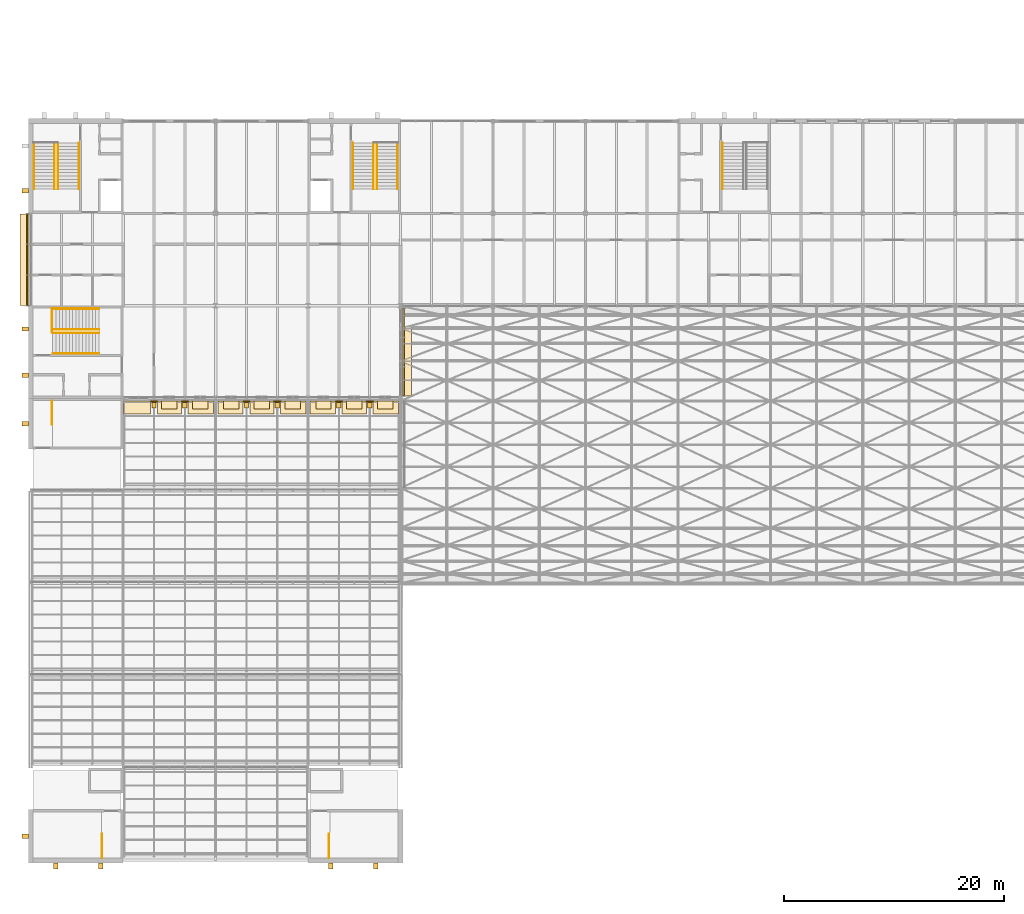
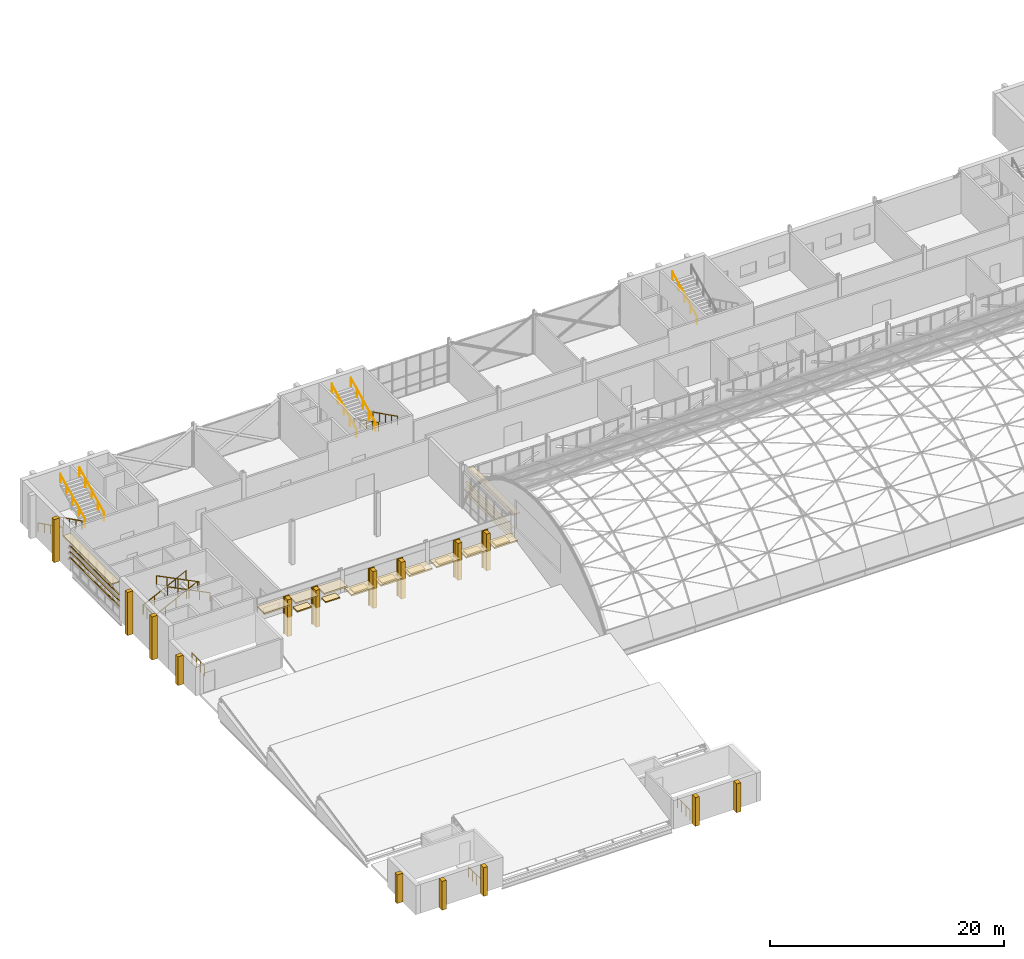
# One storey, part 120 of 121: 46 coverings, 17 railings.
"""IFC4 building model written with IfcOpenShell, lengths in metres."""

import ifcopenshell
import ifcopenshell.guid

model = None  # the IFC model being written
_history = None  # IfcOwnerHistory: only IFC2X3 demands one
_inside = {}  # id of a spatial element -> (the spatial element, [elements in it])
_under = {}  # id of a project, library or spatial element -> (it, [spatial elements below it])
_declared = {}  # id of a project -> (the project, [libraries it declares])
_typed = {}  # id of a type object -> (the type object, [elements of that type])
_made_of = {}  # id of a material, layer set ... -> (it, [elements and type objects made of it])


def new_model(schema):
    """Start an empty IFC model of exactly this schema.

    Asked for "IFC4X3", IfcOpenShell would pick the latest addendum, in which some entities
    have other attributes; the version numbers below select the first issue.
    IFC2X3 requires an IfcOwnerHistory on every rooted entity: one is made here for all.
    """
    global model, _history
    if schema == "IFC4X3":
        model = ifcopenshell.file(schema_version=(4, 3, 0, 0))
    else:
        model = ifcopenshell.file(schema=schema)
    _inside.clear()
    _under.clear()
    _declared.clear()
    _typed.clear()
    _made_of.clear()
    _history = None
    if model.schema == "IFC2X3":
        org = make("IfcOrganization", Name="unknown")
        user = make(
            "IfcPersonAndOrganization",
            ThePerson=make("IfcPerson", FamilyName="unknown"),
            TheOrganization=org,
        )
        app = make(
            "IfcApplication",
            ApplicationDeveloper=org,
            Version="unknown",
            ApplicationFullName="unknown",
            ApplicationIdentifier="unknown",
        )
        _history = make(
            "IfcOwnerHistory",
            OwningUser=user,
            OwningApplication=app,
            ChangeAction="ADDED",
            CreationDate=0,
        )
    return model


def make(cls, **values):
    """One entity of the class cls with the attributes given. An attribute that is None is left unset."""
    return model.create_entity(
        cls, **{name: value for name, value in values.items() if value is not None}
    )


def rooted(cls, **values):
    """An entity with a GlobalId (a new one), such as an element, a storey or a relation."""
    return make(cls, GlobalId=ifcopenshell.guid.new(), OwnerHistory=_history, **values)


def si_unit(unit_type, name, prefix=None):
    """IfcSIUnit, for example si_unit("LENGTHUNIT", "METRE", prefix="MILLI")."""
    return make("IfcSIUnit", UnitType=unit_type, Prefix=prefix, Name=name)


def assignment(units):
    """IfcUnitAssignment: the units of a project."""
    return None if units is None else make("IfcUnitAssignment", Units=units)


def point(xyz):
    """IfcCartesianPoint."""
    return None if xyz is None else make("IfcCartesianPoint", Coordinates=xyz)


def direction(xyz):
    """IfcDirection."""
    return None if xyz is None else make("IfcDirection", DirectionRatios=xyz)


def frame(location, z_axis=None, x_axis=None):
    """IfcAxis2Placement3D, a coordinate frame: its origin and axes. An axis left out is left unset."""
    return make(
        "IfcAxis2Placement3D",
        Location=point(location),
        Axis=direction(z_axis),
        RefDirection=direction(x_axis),
    )


def frame_2d(location, x_axis=None):
    """IfcAxis2Placement2D, a coordinate frame in the plane: its origin and x axis."""
    return make(
        "IfcAxis2Placement2D", Location=point(location), RefDirection=direction(x_axis)
    )


def origin():
    """The frame at (0, 0, 0) with its axes left unset."""
    return frame((0.0, 0.0, 0.0))


def origin_2d():
    """The frame at (0, 0) in the plane with its x axis left unset."""
    return frame_2d((0.0, 0.0))


def place(relative_to, where):
    """IfcLocalPlacement: puts the frame where relative to a parent placement (None: the world)."""
    return make(
        "IfcLocalPlacement", PlacementRelTo=relative_to, RelativePlacement=where
    )


def context(
    kind, dimensions, precision=None, world=None, true_north=None, identifier=None
):
    """IfcGeometricRepresentationContext, for example the 3D "Model" context."""
    return make(
        "IfcGeometricRepresentationContext",
        ContextIdentifier=identifier,
        ContextType=kind,
        CoordinateSpaceDimension=dimensions,
        Precision=precision,
        WorldCoordinateSystem=world,
        TrueNorth=true_north,
    )


def subcontext(parent, identifier, kind, view, scale=None):
    """IfcGeometricRepresentationSubContext, for example "Body" below "Model"."""
    return make(
        "IfcGeometricRepresentationSubContext",
        ContextIdentifier=identifier,
        ContextType=kind,
        ParentContext=parent,
        TargetScale=scale,
        TargetView=view,
    )


def project(units=None, contexts=None):
    """IfcProject with its units and contexts."""
    return rooted(
        "IfcProject",
        Name="project",
        RepresentationContexts=contexts,
        UnitsInContext=assignment(units),
    )


def spatial(cls, under=None, at=None, **own):
    """A site, building, storey or space (cls), placed at a placement, below another one or the project."""
    s = rooted(cls, ObjectPlacement=at, **own)
    if under is not None:
        _under.setdefault(under.id(), (under, []))[1].append(s)
    return s


def profile(cls, at=None, kind="AREA", **sizes):
    """A parametric profile (cls). Its sizes go by their IFC names, for example OverallWidth=200.0."""
    return make(cls, ProfileType=kind, Position=at, **sizes)


def rectangle(**sizes):
    """IfcRectangleProfileDef."""
    return profile("IfcRectangleProfileDef", **sizes)


def circle(**sizes):
    """IfcCircleProfileDef."""
    return profile("IfcCircleProfileDef", **sizes)


def extrude(swept, where, along, depth):
    """IfcExtrudedAreaSolid: the profile swept, set in the frame where, extruded along a direction by depth."""
    return make(
        "IfcExtrudedAreaSolid",
        SweptArea=swept,
        Position=where,
        ExtrudedDirection=direction(along),
        Depth=depth,
    )


def shape(context_of_items, identifier, shape_type, items):
    """IfcShapeRepresentation: the items that make up one representation, for example the "Body"."""
    return make(
        "IfcShapeRepresentation",
        ContextOfItems=context_of_items,
        RepresentationIdentifier=identifier,
        RepresentationType=shape_type,
        Items=items,
    )


def material(Name=None, Category=None):
    """IfcMaterial."""
    return make("IfcMaterial", Name=Name, Category=Category)


def layer(
    of_material, thickness, ventilated=None, Name=None, Category=None, Priority=None
):
    """IfcMaterialLayer: one layer of a wall or slab, of a material (None: an air gap)."""
    return make(
        "IfcMaterialLayer",
        Material=of_material,
        LayerThickness=thickness,
        IsVentilated=ventilated,
        Name=Name,
        Category=Category,
        Priority=Priority,
    )


def layer_set(layers, Name=None):
    """IfcMaterialLayerSet."""
    return make("IfcMaterialLayerSet", MaterialLayers=layers, LayerSetName=Name)


def material_profile(
    of_material, cross_section, Name=None, Category=None, Priority=None
):
    """IfcMaterialProfile: a cross section and its material."""
    return make(
        "IfcMaterialProfile",
        Name=Name,
        Material=of_material,
        Profile=cross_section,
        Priority=Priority,
        Category=Category,
    )


def profile_set(profiles, Name=None, composite=None):
    """IfcMaterialProfileSet."""
    return make(
        "IfcMaterialProfileSet",
        Name=Name,
        MaterialProfiles=profiles,
        CompositeProfile=composite,
    )


def made_of(thing, what):
    """Note that an element or type object is made of a material, layer set ...; save() writes the relation."""
    if what is not None:
        _made_of.setdefault(what.id(), (what, []))[1].append(thing)
    return thing


def type_object(cls, material=None, **own):
    """A type object (cls), such as IfcWallType, which elements share."""
    return made_of(rooted(cls, **own), material)


def element(
    cls,
    number,
    at=None,
    inside=None,
    cuts=None,
    type_object=None,
    material=None,
    context=None,
    identifier="Body",
    shape_type=None,
    held_by="IfcProductDefinitionShape",
    body=None,
    shapes=None,
    **own,
):
    """One element of the class cls, such as IfcWall. Its Tag is "e" and its number.

    at: its placement. inside: the storey or other place that contains it. cuts: it is an
    opening in that element (IfcRelVoidsElement). A single representation is given by context,
    identifier, shape_type and body (its items); several are given by shapes. held_by: the class
    of the entity that holds the representations. save() writes the other relations.
    """
    e = rooted(cls, Tag="e%d" % number, ObjectPlacement=at, **own)
    if body is not None:
        shapes = [shape(context, identifier, shape_type, body)]
    if shapes is not None:
        e.Representation = make(held_by, Representations=shapes)
    if inside is not None:
        _inside.setdefault(inside.id(), (inside, []))[1].append(e)
    if cuts is not None:
        rooted(
            "IfcRelVoidsElement", RelatingBuildingElement=cuts, RelatedOpeningElement=e
        )
    if type_object is not None:
        _typed.setdefault(type_object.id(), (type_object, []))[1].append(e)
    return made_of(e, material)


def aggregate(whole, parts):
    """IfcRelAggregates: a whole, such as a stair, and the parts it consists of."""
    return rooted("IfcRelAggregates", RelatingObject=whole, RelatedObjects=parts)


def save(model, path):
    """Write the relations noted so far, then the file.

    IfcRelAggregates (storeys below a building ...), IfcRelContainedInSpatialStructure (elements
    in a storey), IfcRelDefinesByType, IfcRelAssociatesMaterial and IfcRelDeclares: one each for
    every whole, place, type object, material and project.
    """
    for whole, parts in _under.values():
        aggregate(whole, parts)
    for where, things in _inside.values():
        rooted(
            "IfcRelContainedInSpatialStructure",
            RelatedElements=things,
            RelatingStructure=where,
        )
    for kind, things in _typed.values():
        rooted("IfcRelDefinesByType", RelatedObjects=things, RelatingType=kind)
    for what, things in _made_of.values():
        rooted("IfcRelAssociatesMaterial", RelatedObjects=things, RelatingMaterial=what)
    for by, libraries in _declared.values():
        rooted("IfcRelDeclares", RelatingContext=by, RelatedDefinitions=libraries)
    model.write(path)


model = new_model("IFC4")

# Units and contexts
model_context = context("Model", 3, precision=1e-05, world=origin(), true_north=direction((0.0, 1.0)))
body_context = subcontext(model_context, "Body", "Model", "MODEL_VIEW")
ifc_project = project(units=[si_unit("LENGTHUNIT", "METRE"), si_unit("AREAUNIT", "SQUARE_METRE"), si_unit("VOLUMEUNIT", "CUBIC_METRE"), si_unit("PLANEANGLEUNIT", "RADIAN"), si_unit("MASSUNIT", "GRAM", prefix="KILO")], contexts=[model_context])

# Site, building, storey
site_placement = place(None, origin())
site = spatial("IfcSite", under=ifc_project, at=site_placement, CompositionType="ELEMENT")
building_placement = place(site_placement, origin())
building = spatial("IfcBuilding", under=site, at=building_placement, Name="Ardhachandra Cancer Care Centre", CompositionType="ELEMENT")
storey_placement = place(building_placement, frame((0.0, 0.0, 9.0)))
storey = spatial("IfcBuildingStorey", under=building, at=storey_placement, Name="L02", CompositionType="ELEMENT", Elevation=9.0)

# Coverings
ifc_material_1 = material(Name="Brick masonry (clay brick, cement mortar) pier cladding", Category="masonry")
ifc_layer_1 = layer(ifc_material_1, 0.1201171875)
ifc_layer_set_1 = layer_set([ifc_layer_1], Name="Brick masonry (clay brick, cement mortar) pier cladding")
covering_type_1 = type_object("IfcCoveringType", Name="Brick pier cladding 600 x 120", PredefinedType="CLADDING", material=ifc_layer_set_1)
for number, where, z_axis, x_axis, name in (
    (1, (22.0, 71.114990234375, 0.0), (0.0, 0.0, 1.0), (1.0, 0.0, 0.0), "Pier cladding L02 L02/s/0019200_0071400"),
    (2, (24.800048828125, 71.114990234375, 0.0), (0.0, 0.0, 1.0), (1.0, 0.0, 0.0), "Pier cladding L02 L02/s/0019200_0071400"),
    (3, (30.39990234375, 71.114990234375, 0.0), (0.0, 0.0, 1.0), (1.0, 0.0, 0.0), "Pier cladding L02 L02/s/0027600_0071400"),
    (4, (33.199951171875, 71.114990234375, 0.0), (0.0, 0.0, 1.0), (1.0, 0.0, 0.0), "Pier cladding L02 L02/s/0027600_0071400"),
    (5, (38.800048828125, 71.114990234375, 0.0), (0.0, 0.0, 1.0), (1.0, 0.0, 0.0), "Pier cladding L02 L02/s/0036000_0071400"),
    (6, (41.60009765625, 71.114990234375, 0.0), (0.0, 0.0, 1.0), (1.0, 0.0, 0.0), "Pier cladding L02 L02/s/0036000_0071400"),
):
    element("IfcCovering", number, at=place(storey_placement, frame(where, z_axis=z_axis, x_axis=x_axis)), inside=storey, type_object=covering_type_1, Name=name, PredefinedType="CLADDING", context=body_context, shape_type="SweptSolid", body=[
        extrude(rectangle(XDim=0.60009765625, YDim=0.1201171875, at=origin_2d()), origin(), (0.0, 0.0, 1.0), 3.85009765625),
    ])

# Railings
ifc_material_2 = material(Name="Steel E250 (IS 2062)", Category="steel")
railing_type_1 = type_object("IfcRailingType", Name="Guard 1100", PredefinedType="GUARDRAIL", material=ifc_material_2)
for number, where, name in (
    (7, (17.284912109375, 29.655029296875, 0.0), "Stair well guard K1 L02"),
    (8, (37.9150390625, 29.655029296875, 0.0), "Stair well guard K2 L02"),
):
    element("IfcRailing", number, at=place(storey_placement, frame(where)), inside=storey, type_object=railing_type_1, Name=name, PredefinedType="GUARDRAIL", context=body_context, shape_type="SweptSolid", body=[
        extrude(circle(Radius=0.02392578125, at=origin_2d()), frame((0.0, 0.0, 1.076171875), z_axis=(0.0, 1.0, 0.0), x_axis=(-1.0, 0.0, 0.0)), (0.0, 0.0, 1.0), 2.169921875),
        extrude(circle(Radius=0.02099609375, at=origin_2d()), origin(), (0.0, 0.0, 1.0), 1.052001953125),
        extrude(circle(Radius=0.02099609375, at=origin_2d()), frame((0.0, 0.723388671875, 0.0)), (0.0, 0.0, 1.0), 1.052001953125),
        extrude(circle(Radius=0.02099609375, at=origin_2d()), frame((0.0, 1.446533203125, 0.0)), (0.0, 0.0, 1.0), 1.052001953125),
        extrude(circle(Radius=0.02099609375, at=origin_2d()), frame((0.0, 2.169921875, 0.0)), (0.0, 0.0, 1.0), 1.052001953125),
    ])
railing_1_placement = place(storey_placement, frame((12.739990234375, 71.169921875, 0.0)))
element("IfcRailing", 9, at=railing_1_placement, inside=storey, type_object=railing_type_1, Name="Stair well guard K3 L02", PredefinedType="GUARDRAIL", context=body_context, shape_type="SweptSolid", body=[
    extrude(circle(Radius=0.02392578125, at=origin_2d()), frame((0.0, 0.0, 1.076171875), z_axis=(0.0, -1.0, 0.0), x_axis=(1.0, 0.0, 0.0)), (0.0, 0.0, 1.0), 2.169921875),
    extrude(circle(Radius=0.02099609375, at=origin_2d()), origin(), (0.0, 0.0, 1.0), 1.052001953125),
    extrude(circle(Radius=0.02099609375, at=origin_2d()), frame((0.0, -0.723388671875, 0.0)), (0.0, 0.0, 1.0), 1.052001953125),
    extrude(circle(Radius=0.02099609375, at=origin_2d()), frame((0.0, -1.446533203125, 0.0)), (0.0, 0.0, 1.0), 1.052001953125),
    extrude(circle(Radius=0.02099609375, at=origin_2d()), frame((0.0, -2.169921875, 0.0)), (0.0, 0.0, 1.0), 1.052001953125),
])
railing_2_placement = place(storey_placement, frame((12.739990234375, 79.570068359375, 0.0)))
element("IfcRailing", 10, at=railing_2_placement, inside=storey, type_object=railing_type_1, Name="Stair well guard K6 L02", PredefinedType="GUARDRAIL", context=body_context, shape_type="SweptSolid", body=[
    extrude(circle(Radius=0.02392578125, at=origin_2d()), frame((0.0, 0.0, 1.076171875), z_axis=(0.0, -1.0, 0.0), x_axis=(1.0, 0.0, 0.0)), (0.0, 0.0, 1.0), 2.170166015625),
    extrude(circle(Radius=0.02099609375, at=origin_2d()), origin(), (0.0, 0.0, 1.0), 1.052001953125),
    extrude(circle(Radius=0.02099609375, at=origin_2d()), frame((0.0, -0.723388671875, 0.0)), (0.0, 0.0, 1.0), 1.052001953125),
    extrude(circle(Radius=0.02099609375, at=origin_2d()), frame((0.0, -1.44677734375, 0.0)), (0.0, 0.0, 1.0), 1.052001953125),
    extrude(circle(Radius=0.02099609375, at=origin_2d()), frame((0.0, -2.170166015625, 0.0)), (0.0, 0.0, 1.0), 1.052001953125),
])

# Coverings
ifc_material_3 = material(Name="Anodised aluminium extrusion", Category="aluminium")
ifc_material_profile = material_profile(ifc_material_3, rectangle(XDim=0.199951171875, YDim=0.02001953125, at=origin_2d()), Name="Louvre blade 200 x 20")
ifc_profile_set = profile_set([ifc_material_profile], Name="Anodised aluminium extrusion")
covering_type_2 = type_object("IfcCoveringType", Name="Louvre blade 200 x 20", PredefinedType="CLADDING", material=ifc_profile_set)
for number, where, z_axis, x_axis, name in (
    (11, (44.655029296875, 71.614013671875, 1.5), (0.0, 1.0, 0.0), (-0.819152044289, 0.0, -0.573576436351), "Louvre blade over curtain wall L02/e/0044400_0071400 1"),
    (12, (44.655029296875, 71.614013671875, 2.10009765625), (0.0, 1.0, 0.0), (-0.819152044289, 0.0, -0.573576436351), "Louvre blade over curtain wall L02/e/0044400_0071400 2"),
    (13, (44.655029296875, 71.614013671875, 2.699951171875), (0.0, 1.0, 0.0), (-0.819152044289, 0.0, -0.573576436351), "Louvre blade over curtain wall L02/e/0044400_0071400 3"),
):
    element("IfcCovering", number, at=place(storey_placement, frame(where, z_axis=z_axis, x_axis=x_axis)), inside=storey, type_object=covering_type_2, Name=name, PredefinedType="CLADDING", context=body_context, shape_type="SweptSolid", body=[
        extrude(rectangle(XDim=0.199951171875, YDim=0.02001953125, at=origin_2d()), origin(), (0.0, 0.0, 1.0), 7.971923828125),
    ])
for number, where, z_axis, x_axis, name in (
    (14, (10.544921875, 79.830078125, 1.5), (0.0, 1.0, 0.0), (-0.819152044289, 0.0, 0.573576436351), "Louvre blade over curtain wall L02/w/0010800_0079800 1"),
    (15, (10.544921875, 79.830078125, 2.10009765625), (0.0, 1.0, 0.0), (-0.819152044289, 0.0, 0.573576436351), "Louvre blade over curtain wall L02/w/0010800_0079800 2"),
    (16, (10.544921875, 79.830078125, 2.699951171875), (0.0, 1.0, 0.0), (-0.819152044289, 0.0, 0.573576436351), "Louvre blade over curtain wall L02/w/0010800_0079800 3"),
):
    element("IfcCovering", number, at=place(storey_placement, frame(where, z_axis=z_axis, x_axis=x_axis)), inside=storey, type_object=covering_type_2, Name=name, PredefinedType="CLADDING", context=body_context, shape_type="SweptSolid", body=[
        extrude(rectangle(XDim=0.199951171875, YDim=0.02001953125, at=origin_2d()), origin(), (0.0, 0.0, 1.0), 8.33984375),
    ])
ifc_material_4 = material(Name="Precast Concrete M25", Category="concrete")
ifc_layer_2 = layer(ifc_material_4, 0.1201171875)
ifc_layer_set_2 = layer_set([ifc_layer_2], Name="Precast Concrete M25")
covering_type_3 = type_object("IfcCoveringType", Name="Precast chajja 750 x 120", PredefinedType="USERDEFINED", material=ifc_layer_set_2)
covering_1_placement = place(storey_placement, frame((45.0, 75.60009765625, 3.949951171875), z_axis=(0.0, 0.0, 1.0), x_axis=(0.0, 1.0, 0.0)))
element("IfcCovering", 17, at=covering_1_placement, inside=storey, type_object=covering_type_3, Name="Chajja over curtain wall L02/e/0044400_0071400", ObjectType="CHAJJA", PredefinedType="USERDEFINED", context=body_context, shape_type="SweptSolid", body=[
    extrude(rectangle(XDim=7.931884765625, YDim=0.75, at=origin_2d()), origin(), (0.0, 0.0, 1.0), 0.1201171875),
])
covering_2_placement = place(storey_placement, frame((10.199951171875, 84.0, 3.949951171875), z_axis=(0.0, 0.0, 1.0), x_axis=(0.0, 1.0, 0.0)))
element("IfcCovering", 18, at=covering_2_placement, inside=storey, type_object=covering_type_3, Name="Chajja over curtain wall L02/w/0010800_0079800", ObjectType="CHAJJA", PredefinedType="USERDEFINED", context=body_context, shape_type="SweptSolid", body=[
    extrude(rectangle(XDim=8.300048828125, YDim=0.75, at=origin_2d()), origin(), (0.0, 0.0, 1.0), 0.1201171875),
])
for number, where, z_axis, x_axis, name in (
    (19, (23.39990234375, 70.800048828125, 2.300048828125), (0.0, 0.0, 1.0), (1.0, 0.0, 0.0), "Chajja L02/s/0019200_0071400/02"),
    (20, (26.199951171875, 70.800048828125, 2.300048828125), (0.0, 0.0, 1.0), (1.0, 0.0, 0.0), "Chajja L02/s/0019200_0071400/03"),
    (21, (29.0, 70.800048828125, 2.300048828125), (0.0, 0.0, 1.0), (1.0, 0.0, 0.0), "Chajja L02/s/0027600_0071400/01"),
    (22, (31.800048828125, 70.800048828125, 2.300048828125), (0.0, 0.0, 1.0), (1.0, 0.0, 0.0), "Chajja L02/s/0027600_0071400/02"),
    (23, (34.60009765625, 70.800048828125, 2.300048828125), (0.0, 0.0, 1.0), (1.0, 0.0, 0.0), "Chajja L02/s/0027600_0071400/03"),
    (24, (37.39990234375, 70.800048828125, 2.300048828125), (0.0, 0.0, 1.0), (1.0, 0.0, 0.0), "Chajja L02/s/0036000_0071400/01"),
    (25, (40.199951171875, 70.800048828125, 2.300048828125), (0.0, 0.0, 1.0), (1.0, 0.0, 0.0), "Chajja L02/s/0036000_0071400/02"),
    (26, (43.0, 70.800048828125, 2.300048828125), (0.0, 0.0, 1.0), (1.0, 0.0, 0.0), "Chajja L02/s/0036000_0071400/03"),
):
    element("IfcCovering", number, at=place(storey_placement, frame(where, z_axis=z_axis, x_axis=x_axis)), inside=storey, type_object=covering_type_3, Name=name, ObjectType="CHAJJA", PredefinedType="USERDEFINED", context=body_context, shape_type="SweptSolid", body=[
        extrude(rectangle(XDim=1.39990234375, YDim=0.75, at=origin_2d()), origin(), (0.0, 0.0, 1.0), 0.1201171875),
    ])
ifc_material_5 = material(Name="Precast Concrete M25", Category="concrete")
ifc_layer_3 = layer(ifc_material_5, 0.39990234375)
ifc_layer_set_3 = layer_set([ifc_layer_3], Name="Precast Concrete M25")
covering_type_4 = type_object("IfcCoveringType", Name="Precast concrete fin 400 x 550", PredefinedType="CLADDING", material=ifc_layer_set_3)
for number, where, z_axis, x_axis, name in (
    (27, (22.0, 70.780029296875, 0.0), (0.0, 0.0, 1.0), (1.0, 0.0, 0.0), "Fin L02 L02/s/0019200_0071400"),
    (28, (24.800048828125, 70.780029296875, 0.0), (0.0, 0.0, 1.0), (1.0, 0.0, 0.0), "Fin L02 L02/s/0019200_0071400"),
    (29, (30.39990234375, 70.780029296875, 0.0), (0.0, 0.0, 1.0), (1.0, 0.0, 0.0), "Fin L02 L02/s/0027600_0071400"),
    (30, (33.199951171875, 70.780029296875, 0.0), (0.0, 0.0, 1.0), (1.0, 0.0, 0.0), "Fin L02 L02/s/0027600_0071400"),
    (31, (38.800048828125, 70.780029296875, 0.0), (0.0, 0.0, 1.0), (1.0, 0.0, 0.0), "Fin L02 L02/s/0036000_0071400"),
    (32, (41.60009765625, 70.780029296875, 0.0), (0.0, 0.0, 1.0), (1.0, 0.0, 0.0), "Fin L02 L02/s/0036000_0071400"),
):
    element("IfcCovering", number, at=place(storey_placement, frame(where, z_axis=z_axis, x_axis=x_axis)), inside=storey, type_object=covering_type_4, Name=name, PredefinedType="CLADDING", context=body_context, shape_type="SweptSolid", body=[
        extrude(rectangle(XDim=0.39990234375, YDim=0.550048828125, at=origin_2d()), origin(), (0.0, 0.0, 1.0), 3.85009765625),
    ])
for number, where, z_axis, x_axis, name in (
    (33, (10.300048828125, 31.60009765625, 0.0), (0.0, 0.0, 1.0), (0.0, 1.0, 0.0), "Fin L02 core K1 1"),
    (34, (13.06884765625, 28.89990234375, 0.0), (0.0, 0.0, 1.0), (1.0, 0.0, 0.0), "Fin L02 core K1 1"),
    (35, (17.15625, 28.89990234375, 0.0), (0.0, 0.0, 1.0), (1.0, 0.0, 0.0), "Fin L02 core K1 2"),
    (36, (38.043701171875, 28.89990234375, 0.0), (0.0, 0.0, 1.0), (1.0, 0.0, 0.0), "Fin L02 core K2 1"),
    (37, (42.13134765625, 28.89990234375, 0.0), (0.0, 0.0, 1.0), (1.0, 0.0, 0.0), "Fin L02 core K2 2"),
    (38, (10.300048828125, 69.10009765625, 0.0), (0.0, 0.0, 1.0), (0.0, 1.0, 0.0), "Fin L02 core K3 1"),
):
    element("IfcCovering", number, at=place(storey_placement, frame(where, z_axis=z_axis, x_axis=x_axis)), inside=storey, type_object=covering_type_4, Name=name, PredefinedType="CLADDING", context=body_context, shape_type="SweptSolid", body=[
        extrude(rectangle(XDim=0.39990234375, YDim=0.550048828125, at=origin_2d()), origin(), (0.0, 0.0, 1.0), 3.0),
    ])
for number, where, z_axis, x_axis, name in (
    (39, (10.300048828125, 90.24365234375, 0.0), (0.0, 0.0, 1.0), (0.0, 1.0, 0.0), "Fin L02 core K4 1"),
    (40, (10.300048828125, 73.5, 0.0), (0.0, 0.0, 1.0), (0.0, 1.0, 0.0), "Fin L02 core K6 1"),
    (41, (10.300048828125, 77.699951171875, 0.0), (0.0, 0.0, 1.0), (0.0, 1.0, 0.0), "Fin L02 core K6 2"),
):
    element("IfcCovering", number, at=place(storey_placement, frame(where, z_axis=z_axis, x_axis=x_axis)), inside=storey, type_object=covering_type_4, Name=name, PredefinedType="CLADDING", context=body_context, shape_type="SweptSolid", body=[
        extrude(rectangle(XDim=0.39990234375, YDim=0.550048828125, at=origin_2d()), origin(), (0.0, 0.0, 1.0), 4.5),
    ])
ifc_material_6 = material(Name="Precast Concrete M25", Category="concrete")
ifc_layer_4 = layer(ifc_material_6, 0.14990234375)
ifc_layer_set_4 = layer_set([ifc_layer_4], Name="Precast Concrete M25")
covering_type_5 = type_object("IfcCoveringType", Name="Precast sunshade band 1200 x 150", PredefinedType="CLADDING", material=ifc_layer_set_4)
covering_3_placement = place(storey_placement, frame((20.449951171875, 70.574951171875, 3.550048828125), z_axis=(0.0, 0.0, 1.0), x_axis=(1.0, 0.0, 0.0)))
element("IfcCovering", 42, at=covering_3_placement, inside=storey, type_object=covering_type_5, Name="Sunshade band L02 L02/s/0019200_0071400 1", PredefinedType="CLADDING", context=body_context, shape_type="SweptSolid", body=[
    extrude(rectangle(XDim=2.5, YDim=1.199951171875, at=origin_2d()), origin(), (0.0, 0.0, 1.0), 0.14990234375),
])
covering_4_placement = place(storey_placement, frame((23.39990234375, 70.574951171875, 3.550048828125), z_axis=(0.0, 0.0, 1.0), x_axis=(1.0, 0.0, 0.0)))
element("IfcCovering", 43, at=covering_4_placement, inside=storey, type_object=covering_type_5, Name="Sunshade band L02 L02/s/0019200_0071400 2", PredefinedType="CLADDING", context=body_context, shape_type="SweptSolid", body=[
    extrude(rectangle(XDim=2.199951171875, YDim=1.199951171875, at=origin_2d()), origin(), (0.0, 0.0, 1.0), 0.14990234375),
])
for number, where, z_axis, x_axis, name in (
    (44, (26.252197265625, 70.574951171875, 3.550048828125), (0.0, 0.0, 1.0), (1.0, 0.0, 0.0), "Sunshade band L02 L02/s/0019200_0071400 3"),
    (45, (28.94775390625, 70.574951171875, 2.449951171875), (0.0, 0.0, 1.0), (1.0, 0.0, 0.0), "Sunshade band L02 L02/s/0027600_0071400 1"),
):
    element("IfcCovering", number, at=place(storey_placement, frame(where, z_axis=z_axis, x_axis=x_axis)), inside=storey, type_object=covering_type_5, Name=name, PredefinedType="CLADDING", context=body_context, shape_type="SweptSolid", body=[
        extrude(rectangle(XDim=2.304443359375, YDim=1.199951171875, at=origin_2d()), origin(), (0.0, 0.0, 1.0), 0.14990234375),
    ])
covering_5_placement = place(storey_placement, frame((31.800048828125, 70.574951171875, 2.449951171875), z_axis=(0.0, 0.0, 1.0), x_axis=(1.0, 0.0, 0.0)))
element("IfcCovering", 46, at=covering_5_placement, inside=storey, type_object=covering_type_5, Name="Sunshade band L02 L02/s/0027600_0071400 2", PredefinedType="CLADDING", context=body_context, shape_type="SweptSolid", body=[
    extrude(rectangle(XDim=2.199951171875, YDim=1.199951171875, at=origin_2d()), origin(), (0.0, 0.0, 1.0), 0.14990234375),
])
for number, where, z_axis, x_axis, name in (
    (47, (34.65234375, 70.574951171875, 2.449951171875), (0.0, 0.0, 1.0), (1.0, 0.0, 0.0), "Sunshade band L02 L02/s/0027600_0071400 3"),
    (48, (37.34765625, 70.574951171875, 2.449951171875), (0.0, 0.0, 1.0), (1.0, 0.0, 0.0), "Sunshade band L02 L02/s/0036000_0071400 1"),
):
    element("IfcCovering", number, at=place(storey_placement, frame(where, z_axis=z_axis, x_axis=x_axis)), inside=storey, type_object=covering_type_5, Name=name, PredefinedType="CLADDING", context=body_context, shape_type="SweptSolid", body=[
        extrude(rectangle(XDim=2.304443359375, YDim=1.199951171875, at=origin_2d()), origin(), (0.0, 0.0, 1.0), 0.14990234375),
    ])
covering_6_placement = place(storey_placement, frame((40.199951171875, 70.574951171875, 2.449951171875), z_axis=(0.0, 0.0, 1.0), x_axis=(1.0, 0.0, 0.0)))
element("IfcCovering", 49, at=covering_6_placement, inside=storey, type_object=covering_type_5, Name="Sunshade band L02 L02/s/0036000_0071400 2", PredefinedType="CLADDING", context=body_context, shape_type="SweptSolid", body=[
    extrude(rectangle(XDim=2.199951171875, YDim=1.199951171875, at=origin_2d()), origin(), (0.0, 0.0, 1.0), 0.14990234375),
])
covering_7_placement = place(storey_placement, frame((43.05224609375, 70.574951171875, 2.449951171875), z_axis=(0.0, 0.0, 1.0), x_axis=(1.0, 0.0, 0.0)))
element("IfcCovering", 50, at=covering_7_placement, inside=storey, type_object=covering_type_5, Name="Sunshade band L02 L02/s/0036000_0071400 3", PredefinedType="CLADDING", context=body_context, shape_type="SweptSolid", body=[
    extrude(rectangle(XDim=2.304443359375, YDim=1.199951171875, at=origin_2d()), origin(), (0.0, 0.0, 1.0), 0.14990234375),
])

# Railings
ifc_material_7 = material(Name="Steel E250 (IS 2062)", Category="steel")
railing_type_2 = type_object("IfcRailingType", Name="Stair handrail 900", PredefinedType="HANDRAIL", material=ifc_material_7)
for number, where, name in (
    (51, (11.0849609375, 94.60009765625, 0.14990234375), "Handrail K4 L02-L03 flight 1 wall side"),
    (52, (12.97509765625, 94.60009765625, 0.14990234375), "Handrail K4 L02-L03 flight 1 well side"),
):
    element("IfcRailing", number, at=place(storey_placement, frame(where)), inside=storey, type_object=railing_type_2, Name=name, PredefinedType="HANDRAIL", context=body_context, shape_type="SweptSolid", body=[
        extrude(circle(Radius=0.02392578125, at=origin_2d()), frame((0.0, 0.0, 0.8759765625), z_axis=(0.0, -0.894427191, 0.4472135955), x_axis=(1.0, 0.0, 0.0)), (0.0, 0.0, 1.0), 4.696044921875),
        extrude(circle(Radius=0.02099609375, at=origin_2d()), origin(), (0.0, 0.0, 1.0), 0.851806640625),
        extrude(circle(Radius=0.02099609375, at=origin_2d()), frame((0.0, -1.050048828125, 0.52490234375)), (0.0, 0.0, 1.0), 0.851806640625),
        extrude(circle(Radius=0.02099609375, at=origin_2d()), frame((0.0, -2.10009765625, 1.050048828125)), (0.0, 0.0, 1.0), 0.851806640625),
        extrude(circle(Radius=0.02099609375, at=origin_2d()), frame((0.0, -3.150146484375, 1.5751953125)), (0.0, 0.0, 1.0), 0.851806640625),
        extrude(circle(Radius=0.02099609375, at=origin_2d()), frame((0.0, -4.2001953125, 2.10009765625)), (0.0, 0.0, 1.0), 0.851806640625),
    ])
for number, where, name in (
    (53, (13.27490234375, 90.39990234375, 2.39990234375), "Handrail K4 L02-L03 flight 2 well side"),
    (54, (15.1650390625, 90.39990234375, 2.39990234375), "Handrail K4 L02-L03 flight 2 wall side"),
):
    element("IfcRailing", number, at=place(storey_placement, frame(where)), inside=storey, type_object=railing_type_2, Name=name, PredefinedType="HANDRAIL", context=body_context, shape_type="SweptSolid", body=[
        extrude(circle(Radius=0.02392578125, at=origin_2d()), frame((0.0, 0.0, 0.8759765625), z_axis=(0.0, 0.894427191, 0.4472135955), x_axis=(-1.0, 0.0, 0.0)), (0.0, 0.0, 1.0), 4.696044921875),
        extrude(circle(Radius=0.02099609375, at=origin_2d()), origin(), (0.0, 0.0, 1.0), 0.851806640625),
        extrude(circle(Radius=0.02099609375, at=origin_2d()), frame((0.0, 1.050048828125, 0.52490234375)), (0.0, 0.0, 1.0), 0.851806640625),
        extrude(circle(Radius=0.02099609375, at=origin_2d()), frame((0.0, 2.10009765625, 1.050048828125)), (0.0, 0.0, 1.0), 0.851806640625),
        extrude(circle(Radius=0.02099609375, at=origin_2d()), frame((0.0, 3.150146484375, 1.5751953125)), (0.0, 0.0, 1.0), 0.851806640625),
        extrude(circle(Radius=0.02099609375, at=origin_2d()), frame((0.0, 4.2001953125, 2.10009765625)), (0.0, 0.0, 1.0), 0.851806640625),
    ])
for number, where, name in (
    (55, (44.139892578125, 94.60009765625, 0.14990234375), "Handrail K5 L02-L03 flight 1 wall side"),
    (56, (42.25, 94.60009765625, 0.14990234375), "Handrail K5 L02-L03 flight 1 well side"),
):
    element("IfcRailing", number, at=place(storey_placement, frame(where)), inside=storey, type_object=railing_type_2, Name=name, PredefinedType="HANDRAIL", context=body_context, shape_type="SweptSolid", body=[
        extrude(circle(Radius=0.02392578125, at=origin_2d()), frame((0.0, 0.0, 0.8759765625), z_axis=(0.0, -0.894427191, 0.4472135955), x_axis=(1.0, 0.0, 0.0)), (0.0, 0.0, 1.0), 4.696044921875),
        extrude(circle(Radius=0.02099609375, at=origin_2d()), origin(), (0.0, 0.0, 1.0), 0.851806640625),
        extrude(circle(Radius=0.02099609375, at=origin_2d()), frame((0.0, -1.050048828125, 0.52490234375)), (0.0, 0.0, 1.0), 0.851806640625),
        extrude(circle(Radius=0.02099609375, at=origin_2d()), frame((0.0, -2.10009765625, 1.050048828125)), (0.0, 0.0, 1.0), 0.851806640625),
        extrude(circle(Radius=0.02099609375, at=origin_2d()), frame((0.0, -3.150146484375, 1.5751953125)), (0.0, 0.0, 1.0), 0.851806640625),
        extrude(circle(Radius=0.02099609375, at=origin_2d()), frame((0.0, -4.2001953125, 2.10009765625)), (0.0, 0.0, 1.0), 0.851806640625),
    ])
for number, where, name in (
    (57, (41.949951171875, 90.39990234375, 2.39990234375), "Handrail K5 L02-L03 flight 2 well side"),
    (58, (40.06005859375, 90.39990234375, 2.39990234375), "Handrail K5 L02-L03 flight 2 wall side"),
):
    element("IfcRailing", number, at=place(storey_placement, frame(where)), inside=storey, type_object=railing_type_2, Name=name, PredefinedType="HANDRAIL", context=body_context, shape_type="SweptSolid", body=[
        extrude(circle(Radius=0.02392578125, at=origin_2d()), frame((0.0, 0.0, 0.8759765625), z_axis=(0.0, 0.894427191, 0.4472135955), x_axis=(-1.0, 0.0, 0.0)), (0.0, 0.0, 1.0), 4.696044921875),
        extrude(circle(Radius=0.02099609375, at=origin_2d()), origin(), (0.0, 0.0, 1.0), 0.851806640625),
        extrude(circle(Radius=0.02099609375, at=origin_2d()), frame((0.0, 1.050048828125, 0.52490234375)), (0.0, 0.0, 1.0), 0.851806640625),
        extrude(circle(Radius=0.02099609375, at=origin_2d()), frame((0.0, 2.10009765625, 1.050048828125)), (0.0, 0.0, 1.0), 0.851806640625),
        extrude(circle(Radius=0.02099609375, at=origin_2d()), frame((0.0, 3.150146484375, 1.5751953125)), (0.0, 0.0, 1.0), 0.851806640625),
        extrude(circle(Radius=0.02099609375, at=origin_2d()), frame((0.0, 4.2001953125, 2.10009765625)), (0.0, 0.0, 1.0), 0.851806640625),
    ])
for number, where, name in (
    (59, (12.800048828125, 79.5400390625, 0.14990234375), "Handrail K6 L02-L03 flight 1 wall side"),
    (60, (12.800048828125, 77.64990234375, 0.14990234375), "Handrail K6 L02-L03 flight 1 well side"),
):
    element("IfcRailing", number, at=place(storey_placement, frame(where)), inside=storey, type_object=railing_type_2, Name=name, PredefinedType="HANDRAIL", context=body_context, shape_type="SweptSolid", body=[
        extrude(circle(Radius=0.02392578125, at=origin_2d()), frame((0.0, 0.0, 0.8759765625), z_axis=(0.894416792377, 0.0, 0.447234392142), x_axis=(0.0, 1.0, 0.0)), (0.0, 0.0, 1.0), 4.69580078125),
        extrude(circle(Radius=0.02099609375, at=origin_2d()), origin(), (0.0, 0.0, 1.0), 0.851806640625),
        extrude(circle(Radius=0.02099609375, at=origin_2d()), frame((1.050048828125, 0.0, 0.52490234375)), (0.0, 0.0, 1.0), 0.851806640625),
        extrude(circle(Radius=0.02099609375, at=origin_2d()), frame((2.10009765625, 0.0, 1.050048828125)), (0.0, 0.0, 1.0), 0.851806640625),
        extrude(circle(Radius=0.02099609375, at=origin_2d()), frame((3.14990234375, 0.0, 1.5751953125)), (0.0, 0.0, 1.0), 0.851806640625),
        extrude(circle(Radius=0.02099609375, at=origin_2d()), frame((4.199951171875, 0.0, 2.10009765625)), (0.0, 0.0, 1.0), 0.851806640625),
    ])
for number, where, name in (
    (61, (17.0, 77.35009765625, 2.39990234375), "Handrail K6 L02-L03 flight 2 well side"),
    (62, (17.0, 75.4599609375, 2.39990234375), "Handrail K6 L02-L03 flight 2 wall side"),
):
    element("IfcRailing", number, at=place(storey_placement, frame(where)), inside=storey, type_object=railing_type_2, Name=name, PredefinedType="HANDRAIL", context=body_context, shape_type="SweptSolid", body=[
        extrude(circle(Radius=0.02392578125, at=origin_2d()), frame((0.0, 0.0, 0.8759765625), z_axis=(-0.894416792377, 0.0, 0.447234392142), x_axis=(0.0, -1.0, 0.0)), (0.0, 0.0, 1.0), 4.69580078125),
        extrude(circle(Radius=0.02099609375, at=origin_2d()), origin(), (0.0, 0.0, 1.0), 0.851806640625),
        extrude(circle(Radius=0.02099609375, at=origin_2d()), frame((-1.050048828125, 0.0, 0.52490234375)), (0.0, 0.0, 1.0), 0.851806640625),
        extrude(circle(Radius=0.02099609375, at=origin_2d()), frame((-2.10009765625, 0.0, 1.050048828125)), (0.0, 0.0, 1.0), 0.851806640625),
        extrude(circle(Radius=0.02099609375, at=origin_2d()), frame((-3.14990234375, 0.0, 1.5751953125)), (0.0, 0.0, 1.0), 0.851806640625),
        extrude(circle(Radius=0.02099609375, at=origin_2d()), frame((-4.199951171875, 0.0, 2.10009765625)), (0.0, 0.0, 1.0), 0.851806640625),
    ])
railing_3_placement = place(storey_placement, frame((73.659912109375, 90.39990234375, 2.39990234375)))
element("IfcRailing", 63, at=railing_3_placement, inside=storey, type_object=railing_type_2, Name="Handrail K8 L02-L03 flight 2 wall side", PredefinedType="HANDRAIL", context=body_context, shape_type="SweptSolid", body=[
    extrude(circle(Radius=0.02392578125, at=origin_2d()), frame((0.0, 0.0, 0.8759765625), z_axis=(0.0, 0.894427191, 0.4472135955), x_axis=(-1.0, 0.0, 0.0)), (0.0, 0.0, 1.0), 4.696044921875),
    extrude(circle(Radius=0.02099609375, at=origin_2d()), origin(), (0.0, 0.0, 1.0), 0.851806640625),
    extrude(circle(Radius=0.02099609375, at=origin_2d()), frame((0.0, 1.050048828125, 0.52490234375)), (0.0, 0.0, 1.0), 0.851806640625),
    extrude(circle(Radius=0.02099609375, at=origin_2d()), frame((0.0, 2.10009765625, 1.050048828125)), (0.0, 0.0, 1.0), 0.851806640625),
    extrude(circle(Radius=0.02099609375, at=origin_2d()), frame((0.0, 3.150146484375, 1.5751953125)), (0.0, 0.0, 1.0), 0.851806640625),
    extrude(circle(Radius=0.02099609375, at=origin_2d()), frame((0.0, 4.2001953125, 2.10009765625)), (0.0, 0.0, 1.0), 0.851806640625),
])

save(model, "model.ifc")
